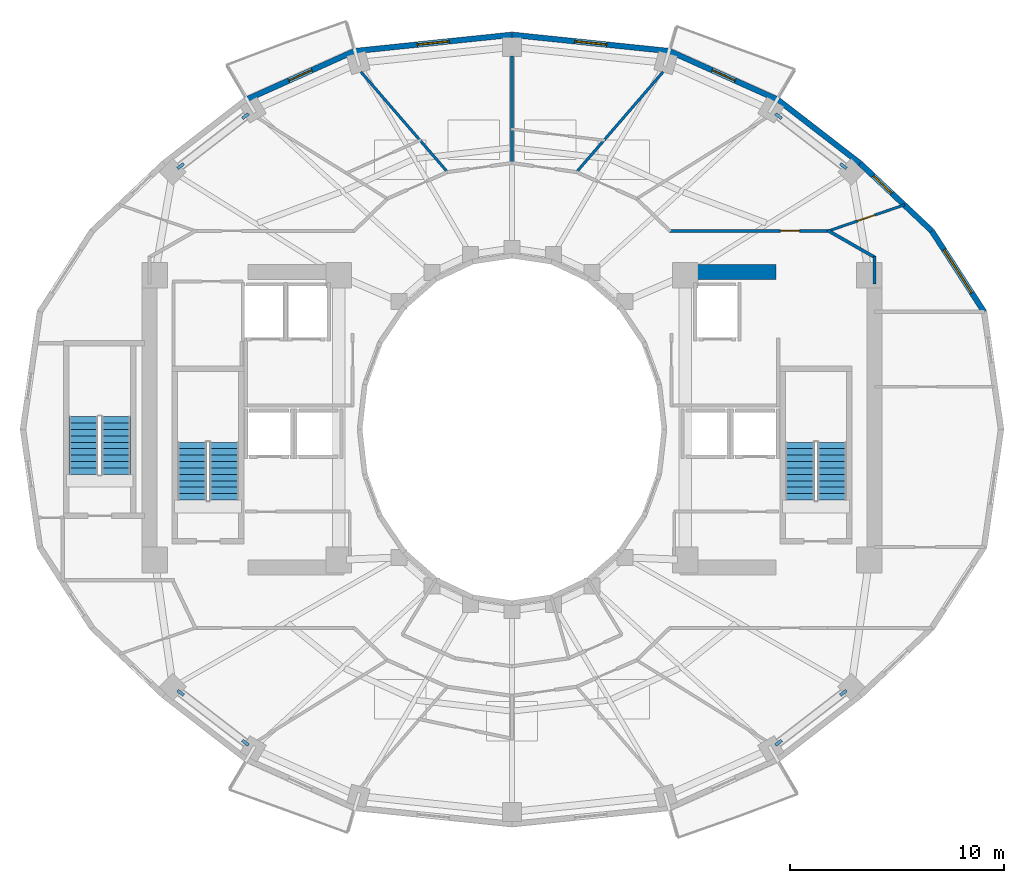
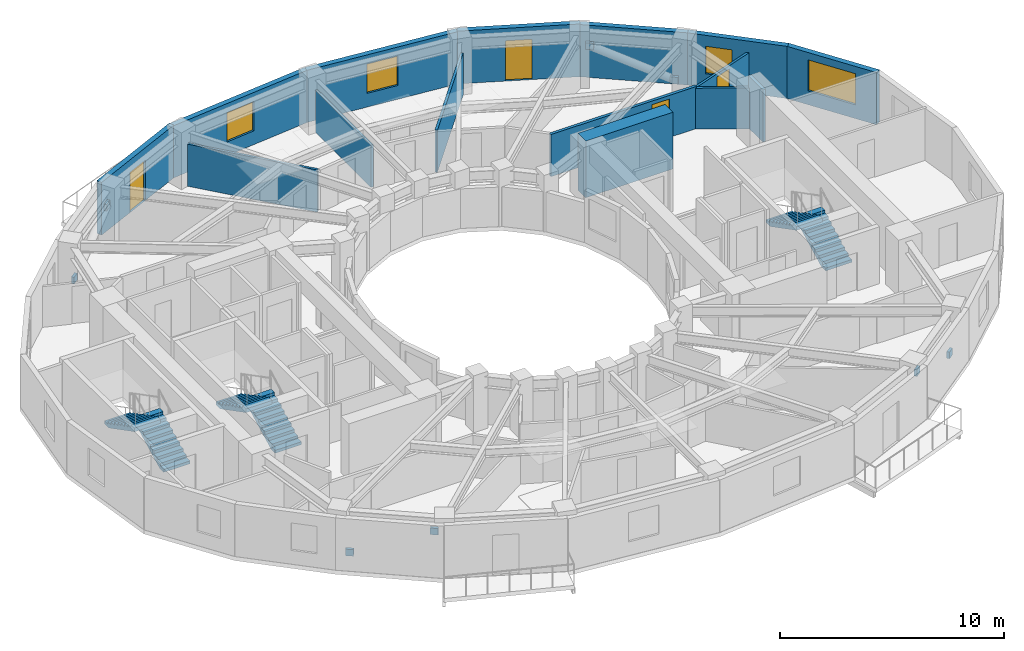
# One storey, part 7 of 10: 15 walls, 8 discrete accessories, 6 stair flights, 4 doors, 4 windows, 8 openings, 3 elements without a shape of their own.
"""IFC4 building model written with IfcOpenShell, lengths in metres."""

from ifc_helpers import new_model, si_unit, direction, frame, frame_2d, origin, origin_2d, place, context, subcontext, project, spatial, polyline, rectangle, outline, extrude, material, layer, layer_set, type_object, element, fill, aggregate, save


model = new_model("IFC4")

# Units and contexts
model_context = context("Model", 3, precision=1e-05, world=origin(), true_north=direction((0.0, 1.0)))
body_context = subcontext(model_context, "Body", "Model", "MODEL_VIEW")
ifc_project = project(units=[si_unit("LENGTHUNIT", "METRE"), si_unit("AREAUNIT", "SQUARE_METRE"), si_unit("VOLUMEUNIT", "CUBIC_METRE"), si_unit("PLANEANGLEUNIT", "RADIAN"), si_unit("MASSUNIT", "GRAM", prefix="KILO")], contexts=[model_context])

# Site, building, storey
site_placement = place(None, origin())
site = spatial("IfcSite", under=ifc_project, at=site_placement, CompositionType="ELEMENT")
building_placement = place(site_placement, origin())
building = spatial("IfcBuilding", under=site, at=building_placement, Name="Solvane Sanctuary Tower", CompositionType="ELEMENT")
storey_placement = place(building_placement, frame((0.0, 0.0, 146.699951171875)))
storey = spatial("IfcBuildingStorey", under=building, at=storey_placement, Name="L44", CompositionType="ELEMENT", Elevation=146.699951171875)

# Walls
ifc_material_1 = material(Name="Concrete C60/75", Category="concrete")
ifc_layer_1 = layer(ifc_material_1, 0.699951171875, Name="Concrete C60/75")
ifc_layer_set_1 = layer_set([ifc_layer_1], Name="Concrete C60/75")
wall_type_1 = type_object("IfcWallType", Name="Wall W-CORE-700", PredefinedType="SHEAR", material=ifc_layer_set_1)
wall_1_placement = place(storey_placement, frame((39.85009765625, 30.35009765625, 0.0), z_axis=(0.0, 0.0, 1.0), x_axis=(1.0, 0.0, 0.0)))
element("IfcWall", 1, at=wall_1_placement, inside=storey, type_object=wall_type_1, Name="L44 Core Shear Wall EC-N", PredefinedType="SHEAR", context=body_context, shape_type="SweptSolid", body=[
    extrude(rectangle(XDim=4.5, YDim=0.699951171875, at=frame_2d((2.25, 0.0))), origin(), (0.0, 0.0, 1.0), 3.10009765625),
])
ifc_material_2 = material(Name="Acoustic Gypsum Partition Board")
ifc_layer_2 = layer(ifc_material_2, 0.14990234375, Name="Acoustic Gypsum Partition Board")
ifc_layer_set_2 = layer_set([ifc_layer_2], Name="Acoustic Gypsum Partition Board")
wall_type_2 = type_object("IfcWallType", Name="Wall W-CORR-150", PredefinedType="PARTITIONING", material=ifc_layer_set_2)
wall_2_placement = place(storey_placement, frame((48.949951171875, 29.800048828125, 0.0), z_axis=(0.0, 0.0, 1.0), x_axis=(0.0, 1.0, 0.0)))
element("IfcWall", 2, at=wall_2_placement, inside=storey, type_object=wall_type_2, Name="L44 NE Corner Closer 1", PredefinedType="PARTITIONING", context=body_context, shape_type="SweptSolid", body=[
    extrude(rectangle(XDim=1.2900390625, YDim=0.14990234375, at=frame_2d((0.64501953125, 0.0))), origin(), (0.0, 0.0, 1.0), 2.85498046875),
])

# Wall, opening, door
wall_3_placement = place(storey_placement, frame((39.330078125, 32.280029296875, 0.0), z_axis=(0.0, 0.0, 1.0), x_axis=(1.0, 0.0, 0.0)))
wall_3 = element("IfcWall", 3, at=wall_3_placement, inside=storey, type_object=wall_type_2, Name="L44 NE Corner Corridor Wall", PredefinedType="PARTITIONING", context=body_context, shape_type="SweptSolid", body=[
    extrude(rectangle(XDim=7.52001953125, YDim=0.14990234375, at=frame_2d((3.760009765625, 0.0))), origin(), (0.0, 0.0, 1.0), 2.299072265625),
])
opening_1_placement = place(wall_3_placement, frame((5.219970703125, 0.0, 0.0)))
opening_1 = element("IfcOpeningElement", 4, at=opening_1_placement, cuts=wall_3, Name="Opening D-L44-16", PredefinedType="OPENING", context=body_context, shape_type="SweptSolid", body=[
    extrude(rectangle(XDim=0.89990234375, YDim=2.10009765625, at=frame_2d((0.449951171875, 1.050048828125))), frame((0.0, 0.0849609375, 0.0), z_axis=(0.0, -1.0, 0.0), x_axis=(1.0, 0.0, 0.0)), (0.0, 0.0, 1.0), 0.169921875),
])
ifc_material_3 = material(Name="Engineered Tropical Hardwood", Category="wood")
door_type_1 = type_object("IfcDoorType", Name="Door D-WET-900", OperationType="NOTDEFINED", PredefinedType="DOOR", material=ifc_material_3)
door_1_placement = place(opening_1_placement, origin())
door_1 = element("IfcDoor", 5, at=door_1_placement, inside=storey, type_object=door_type_1, Name="L44 NE Corner Salon Door", OperationType="SINGLE_SWING_LEFT", OverallHeight=2.10009765625, OverallWidth=0.89990234375, PredefinedType="DOOR", context=body_context, shape_type="SweptSolid", body=[
    extrude(rectangle(XDim=0.89990234375, YDim=2.10009765625, at=frame_2d((0.449951171875, 1.050048828125))), frame((0.0, 0.02490234375, 0.0), z_axis=(0.0, -1.0, 0.0), x_axis=(1.0, 0.0, 0.0)), (0.0, 0.0, 1.0), 0.050048828125),
])
fill(opening_1, door_1)

# Wall
wall_4_placement = place(storey_placement, frame((46.756591796875, 32.3046875, 0.0), z_axis=(0.0, 0.0, 1.0), x_axis=(0.867991349648, -0.496579315857, 0.0)))
element("IfcWall", 6, at=wall_4_placement, inside=storey, type_object=wall_type_2, Name="L44 NE Corner Wing Wall", PredefinedType="PARTITIONING", context=body_context, shape_type="SweptSolid", body=[
    extrude(rectangle(XDim=2.56689453125, YDim=0.14990234375, at=frame_2d((1.283447265625, 0.0))), origin(), (0.0, 0.0, 1.0), 2.219970703125),
])

# Wall, opening, window
ifc_material_4 = material(Name="Precast concrete C40/50", Category="concrete")
ifc_layer_3 = layer(ifc_material_4, 0.260009765625, Name="Precast concrete C40/50")
ifc_layer_set_3 = layer_set([ifc_layer_3], Name="Precast concrete C40/50")
wall_type_3 = type_object("IfcWallType", Name="Wall W-EXT-250", PredefinedType="STANDARD", material=ifc_layer_set_3)
wall_5_placement = place(storey_placement, frame((54.0703125, 28.49658203125, 0.0), z_axis=(0.0, 0.0, 1.0), x_axis=(-0.543358984534, 0.839500454989, 0.0)))
wall_5 = element("IfcWall", 7, at=wall_5_placement, inside=storey, type_object=wall_type_3, Name="L44 Ceramic-Printed Facade Wall 01", PredefinedType="STANDARD", context=body_context, shape_type="SweptSolid", body=[
    extrude(rectangle(XDim=4.51123046875, YDim=0.260009765625, at=frame_2d((2.255615234375, 0.0))), origin(), (0.0, 0.0, 1.0), 2.85009765625),
])
opening_2_placement = place(wall_5_placement, frame((1.0556640625, 0.0, 0.75)))
opening_2 = element("IfcOpeningElement", 8, at=opening_2_placement, cuts=wall_5, Name="Opening WN-RIB-2400", PredefinedType="OPENING", context=body_context, shape_type="SweptSolid", body=[
    extrude(rectangle(XDim=2.39990234375, YDim=1.699951171875, at=frame_2d((1.199951171875, 0.85009765625))), frame((0.0, 0.139892578125, 0.0), z_axis=(0.0, -1.0, 0.0), x_axis=(1.0, 0.0, 0.0)), (0.0, 0.0, 1.0), 0.280029296875),
])
ifc_material_5 = material(Name="Dark Ceramic-Fritted Low-E Glass", Category="glass")
window_type_1 = type_object("IfcWindowType", Name="Window WN-RIB-2400", PartitioningType="SINGLE_PANEL", PredefinedType="WINDOW", material=ifc_material_5)
window_1_placement = place(opening_2_placement, origin())
window_1 = element("IfcWindow", 9, at=window_1_placement, inside=storey, type_object=window_type_1, Name="L44 Operable Facade Window 01", OverallHeight=1.699951171875, OverallWidth=2.39990234375, PartitioningType="SINGLE_PANEL", PredefinedType="WINDOW", context=body_context, shape_type="SweptSolid", body=[
    extrude(rectangle(XDim=2.39990234375, YDim=1.699951171875, at=frame_2d((1.199951171875, 0.85009765625))), frame((0.0, 0.030029296875, 0.0), z_axis=(0.0, -1.0, 0.0), x_axis=(1.0, 0.0, 0.0)), (0.0, 0.0, 1.0), 0.06005859375),
])
fill(opening_2, window_1)

wall_6_placement = place(storey_placement, frame((51.619140625, 32.28369140625, 0.0), z_axis=(0.0, 0.0, 1.0), x_axis=(-0.727667301037, 0.68593024354, 0.0)))
wall_6 = element("IfcWall", 10, at=wall_6_placement, inside=storey, type_object=wall_type_3, Name="L44 Ceramic-Printed Facade Wall 02", PredefinedType="STANDARD", context=body_context, shape_type="SweptSolid", body=[
    extrude(rectangle(XDim=4.603515625, YDim=0.260009765625, at=frame_2d((2.3017578125, 0.0))), origin(), (0.0, 0.0, 1.0), 2.85009765625),
])
opening_3_placement = place(wall_6_placement, frame((2.5595703125, 0.0, 0.75)))
opening_3 = element("IfcOpeningElement", 11, at=opening_3_placement, cuts=wall_6, Name="Opening WN-OPER-1200", PredefinedType="OPENING", context=body_context, shape_type="SweptSolid", body=[
    extrude(rectangle(XDim=1.199951171875, YDim=1.5, at=frame_2d((0.60009765625, 0.75))), frame((0.0, 0.139892578125, 0.0), z_axis=(0.0, -1.0, 0.0), x_axis=(1.0, 0.0, 0.0)), (0.0, 0.0, 1.0), 0.280029296875),
])
window_type_2 = type_object("IfcWindowType", Name="Window WN-OPER-1200", PartitioningType="SINGLE_PANEL", PredefinedType="WINDOW", material=ifc_material_5)
window_2_placement = place(opening_3_placement, origin())
window_2 = element("IfcWindow", 12, at=window_2_placement, inside=storey, type_object=window_type_2, Name="L44 Operable Facade Window 02", OverallHeight=1.5, OverallWidth=1.199951171875, PartitioningType="SINGLE_PANEL", PredefinedType="WINDOW", context=body_context, shape_type="SweptSolid", body=[
    extrude(rectangle(XDim=1.199951171875, YDim=1.5, at=frame_2d((0.60009765625, 0.75))), frame((0.0, 0.030029296875, 0.0), z_axis=(0.0, -1.0, 0.0), x_axis=(1.0, 0.0, 0.0)), (0.0, 0.0, 1.0), 0.06005859375),
])
fill(opening_3, window_2)

# Wall
wall_7_placement = place(storey_placement, frame((48.269287109375, 35.44140625, 0.0), z_axis=(0.0, 0.0, 1.0), x_axis=(-0.791460185804, 0.611220724687, 0.0)))
element("IfcWall", 13, at=wall_7_placement, inside=storey, type_object=wall_type_3, Name="L44 Ceramic-Printed Facade Wall 03", PredefinedType="STANDARD", context=body_context, shape_type="SweptSolid", body=[
    extrude(rectangle(XDim=4.872314453125, YDim=0.260009765625, at=frame_2d((2.43603515625, 0.0))), origin(), (0.0, 0.0, 1.0), 2.85009765625),
])

# Wall, opening, door
wall_8_placement = place(storey_placement, frame((44.4130859375, 38.41943359375, 0.0), z_axis=(0.0, 0.0, 1.0), x_axis=(-0.912353637112, 0.409403029847, 0.0)))
wall_8 = element("IfcWall", 14, at=wall_8_placement, inside=storey, type_object=wall_type_3, Name="L44 Balcony Facade Wall N1", PredefinedType="STANDARD", context=body_context, shape_type="SweptSolid", body=[
    extrude(rectangle(XDim=5.53271484375, YDim=0.260009765625, at=frame_2d((2.766357421875, 0.0))), origin(), (0.0, 0.0, 1.0), 2.880126953125),
])
opening_4_placement = place(wall_8_placement, frame((2.16650390625, 0.0, 0.0)))
opening_4 = element("IfcOpeningElement", 15, at=opening_4_placement, cuts=wall_8, Name="Opening D-L44-01", PredefinedType="OPENING", context=body_context, shape_type="SweptSolid", body=[
    extrude(rectangle(XDim=1.199951171875, YDim=2.199951171875, at=frame_2d((0.60009765625, 1.10009765625))), frame((0.0, 0.139892578125, 0.0), z_axis=(0.0, -1.0, 0.0), x_axis=(1.0, 0.0, 0.0)), (0.0, 0.0, 1.0), 0.280029296875),
])
ifc_material_6 = material(Name="Anodised Aluminium 6063-T6", Category="aluminium")
door_type_2 = type_object("IfcDoorType", Name="Door D-BALC-1200", OperationType="NOTDEFINED", PredefinedType="DOOR", material=ifc_material_6)
door_2_placement = place(opening_4_placement, origin())
door_2 = element("IfcDoor", 16, at=door_2_placement, inside=storey, type_object=door_type_2, Name="L44 Glazed Balcony Door N1", OperationType="SINGLE_SWING_RIGHT", OverallHeight=2.199951171875, OverallWidth=1.199951171875, PredefinedType="DOOR", context=body_context, shape_type="SweptSolid", body=[
    extrude(rectangle(XDim=1.199951171875, YDim=2.199951171875, at=frame_2d((0.60009765625, 1.10009765625))), frame((0.0, 0.02490234375, 0.0), z_axis=(0.0, -1.0, 0.0), x_axis=(1.0, 0.0, 0.0)), (0.0, 0.0, 1.0), 0.050048828125),
])
fill(opening_4, door_2)

# Wall, opening, window
wall_9_placement = place(storey_placement, frame((39.365234375, 40.6845703125, 0.0), z_axis=(0.0, 0.0, 1.0), x_axis=(-0.994664178965, 0.10316574569, 0.0)))
wall_9 = element("IfcWall", 17, at=wall_9_placement, inside=storey, type_object=wall_type_3, Name="L44 Ceramic-Printed Facade Wall 05", PredefinedType="STANDARD", context=body_context, shape_type="SweptSolid", body=[
    extrude(rectangle(XDim=7.40478515625, YDim=0.260009765625, at=frame_2d((3.702392578125, 0.0))), origin(), (0.0, 0.0, 1.0), 2.85009765625),
])
opening_5_placement = place(wall_9_placement, frame((2.952392578125, 0.0, 0.75)))
opening_5 = element("IfcOpeningElement", 18, at=opening_5_placement, cuts=wall_9, Name="Opening WN-OPER-1500", PredefinedType="OPENING", context=body_context, shape_type="SweptSolid", body=[
    extrude(rectangle(XDim=1.5, YDim=1.60009765625, at=frame_2d((0.75, 0.800048828125))), frame((0.0, 0.139892578125, 0.0), z_axis=(0.0, -1.0, 0.0), x_axis=(1.0, 0.0, 0.0)), (0.0, 0.0, 1.0), 0.280029296875),
])
window_type_3 = type_object("IfcWindowType", Name="Window WN-OPER-1500", PartitioningType="SINGLE_PANEL", PredefinedType="WINDOW", material=ifc_material_5)
window_3_placement = place(opening_5_placement, origin())
window_3 = element("IfcWindow", 19, at=window_3_placement, inside=storey, type_object=window_type_3, Name="L44 Operable Facade Window 05", OverallHeight=1.60009765625, OverallWidth=1.5, PartitioningType="SINGLE_PANEL", PredefinedType="WINDOW", context=body_context, shape_type="SweptSolid", body=[
    extrude(rectangle(XDim=1.5, YDim=1.60009765625, at=frame_2d((0.75, 0.800048828125))), frame((0.0, 0.030029296875, 0.0), z_axis=(0.0, -1.0, 0.0), x_axis=(1.0, 0.0, 0.0)), (0.0, 0.0, 1.0), 0.06005859375),
])
fill(opening_5, window_3)

wall_10_placement = place(storey_placement, frame((32.0, 41.448486328125, 0.0), z_axis=(0.0, 0.0, 1.0), x_axis=(-0.994664178965, -0.10316574569, 0.0)))
wall_10 = element("IfcWall", 20, at=wall_10_placement, inside=storey, type_object=wall_type_3, Name="L44 Ceramic-Printed Facade Wall 06", PredefinedType="STANDARD", context=body_context, shape_type="SweptSolid", body=[
    extrude(rectangle(XDim=7.40478515625, YDim=0.260009765625, at=frame_2d((3.702392578125, 0.0))), origin(), (0.0, 0.0, 1.0), 2.85009765625),
])
opening_6_placement = place(wall_10_placement, frame((2.952392578125, 0.0, 0.75)))
opening_6 = element("IfcOpeningElement", 21, at=opening_6_placement, cuts=wall_10, Name="Opening WN-OPER-1500", PredefinedType="OPENING", context=body_context, shape_type="SweptSolid", body=[
    extrude(rectangle(XDim=1.5, YDim=1.60009765625, at=frame_2d((0.75, 0.800048828125))), frame((0.0, 0.139892578125, 0.0), z_axis=(0.0, -1.0, 0.0), x_axis=(1.0, 0.0, 0.0)), (0.0, 0.0, 1.0), 0.280029296875),
])
window_4_placement = place(opening_6_placement, origin())
window_4 = element("IfcWindow", 22, at=window_4_placement, inside=storey, type_object=window_type_3, Name="L44 Operable Facade Window 06", OverallHeight=1.60009765625, OverallWidth=1.5, PartitioningType="SINGLE_PANEL", PredefinedType="WINDOW", context=body_context, shape_type="SweptSolid", body=[
    extrude(rectangle(XDim=1.5, YDim=1.60009765625, at=frame_2d((0.75, 0.800048828125))), frame((0.0, 0.030029296875, 0.0), z_axis=(0.0, -1.0, 0.0), x_axis=(1.0, 0.0, 0.0)), (0.0, 0.0, 1.0), 0.06005859375),
])
fill(opening_6, window_4)

# Wall, opening, door
wall_11_placement = place(storey_placement, frame((24.634765625, 40.6845703125, 0.0), z_axis=(0.0, 0.0, 1.0), x_axis=(-0.912353637112, -0.409403029847, 0.0)))
wall_11 = element("IfcWall", 23, at=wall_11_placement, inside=storey, type_object=wall_type_3, Name="L44 Balcony Facade Wall N2", PredefinedType="STANDARD", context=body_context, shape_type="SweptSolid", body=[
    extrude(rectangle(XDim=5.53271484375, YDim=0.260009765625, at=frame_2d((2.766357421875, 0.0))), origin(), (0.0, 0.0, 1.0), 2.880126953125),
])
opening_7_placement = place(wall_11_placement, frame((2.16650390625, 0.0, 0.0)))
opening_7 = element("IfcOpeningElement", 24, at=opening_7_placement, cuts=wall_11, Name="Opening D-L44-02", PredefinedType="OPENING", context=body_context, shape_type="SweptSolid", body=[
    extrude(rectangle(XDim=1.199951171875, YDim=2.199951171875, at=frame_2d((0.60009765625, 1.10009765625))), frame((0.0, 0.139892578125, 0.0), z_axis=(0.0, -1.0, 0.0), x_axis=(1.0, 0.0, 0.0)), (0.0, 0.0, 1.0), 0.280029296875),
])
door_3_placement = place(opening_7_placement, origin())
door_3 = element("IfcDoor", 25, at=door_3_placement, inside=storey, type_object=door_type_2, Name="L44 Glazed Balcony Door N2", OperationType="SINGLE_SWING_LEFT", OverallHeight=2.199951171875, OverallWidth=1.199951171875, PredefinedType="DOOR", context=body_context, shape_type="SweptSolid", body=[
    extrude(rectangle(XDim=1.199951171875, YDim=2.199951171875, at=frame_2d((0.60009765625, 1.10009765625))), frame((0.0, 0.02490234375, 0.0), z_axis=(0.0, -1.0, 0.0), x_axis=(1.0, 0.0, 0.0)), (0.0, 0.0, 1.0), 0.050048828125),
])
fill(opening_7, door_3)

ifc_layer_4 = layer(ifc_material_2, 0.1201171875, Name="Acoustic Gypsum Partition Board")
ifc_layer_set_4 = layer_set([ifc_layer_4], Name="Acoustic Gypsum Partition Board")
wall_type_4 = type_object("IfcWallType", Name="Wall W-MOV-100", PredefinedType="MOVABLE", material=ifc_layer_set_4)
wall_12_placement = place(storey_placement, frame((46.752685546875, 32.263671875, 0.0), z_axis=(0.0, 0.0, 1.0), x_axis=(0.945683523506, 0.325088716151, 0.0)))
wall_12 = element("IfcWall", 26, at=wall_12_placement, inside=storey, type_object=wall_type_4, Name="L44 NE Corner Suite Partition", PredefinedType="MOVABLE", context=body_context, shape_type="SweptSolid", body=[
    extrude(rectangle(XDim=3.812744140625, YDim=0.1201171875, at=frame_2d((1.90625, 0.0))), origin(), (0.0, 0.0, 1.0), 2.219970703125),
])
opening_8_placement = place(wall_12_placement, frame((1.4814453125, 0.0, 0.0)))
opening_8 = element("IfcOpeningElement", 27, at=opening_8_placement, cuts=wall_12, Name="Opening D-L44-15", PredefinedType="OPENING", context=body_context, shape_type="SweptSolid", body=[
    extrude(rectangle(XDim=0.85009765625, YDim=2.050048828125, at=frame_2d((0.425048828125, 1.02490234375))), frame((0.0, 0.070068359375, 0.0), z_axis=(0.0, -1.0, 0.0), x_axis=(1.0, 0.0, 0.0)), (0.0, 0.0, 1.0), 0.14013671875),
])
ifc_material_7 = material(Name="Architectural Stainless Steel 316", Category="steel")
door_type_3 = type_object("IfcDoorType", Name="Door D-RISER", OperationType="NOTDEFINED", PredefinedType="DOOR", material=ifc_material_7)
door_4_placement = place(opening_8_placement, origin())
door_4 = element("IfcDoor", 28, at=door_4_placement, inside=storey, type_object=door_type_3, Name="L44 NE Corner Suite Door", OperationType="SINGLE_SWING_RIGHT", OverallHeight=2.050048828125, OverallWidth=0.85009765625, PredefinedType="DOOR", context=body_context, shape_type="SweptSolid", body=[
    extrude(rectangle(XDim=0.85009765625, YDim=2.050048828125, at=frame_2d((0.425048828125, 1.02490234375))), frame((0.0, 0.02490234375, 0.0), z_axis=(0.0, -1.0, 0.0), x_axis=(1.0, 0.0, 0.0)), (0.0, 0.0, 1.0), 0.050048828125),
])
fill(opening_8, door_4)

# Walls
ifc_layer_5 = layer(ifc_material_2, 0.125, Name="Acoustic Gypsum Partition Board")
ifc_layer_set_5 = layer_set([ifc_layer_5], Name="Acoustic Gypsum Partition Board")
wall_type_5 = type_object("IfcWallType", Name="Wall W-PART-125", PredefinedType="PARTITIONING", material=ifc_layer_set_5)
wall_13_placement = place(storey_placement, frame((35.052734375, 35.0732421875, 0.0), z_axis=(0.0, 0.0, 1.0), x_axis=(0.653779283332, 0.756685303601, 0.0)))
element("IfcWall", 29, at=wall_13_placement, inside=storey, type_object=wall_type_5, Name="L44 Radial Compartment Wall 075", PredefinedType="PARTITIONING", context=body_context, shape_type="SweptSolid", body=[
    extrude(rectangle(XDim=6.139892578125, YDim=0.125, at=frame_2d((3.06982421875, 0.0))), origin(), (0.0, 0.0, 1.0), 2.299072265625),
])
wall_14_placement = place(storey_placement, frame((32.0, 35.510986328125, 0.0), z_axis=(0.0, 0.0, 1.0), x_axis=(0.0, 1.0, 0.0)))
element("IfcWall", 30, at=wall_14_placement, inside=storey, type_object=wall_type_5, Name="L44 Radial Compartment Wall 090", PredefinedType="PARTITIONING", context=body_context, shape_type="SweptSolid", body=[
    extrude(rectangle(XDim=4.93896484375, YDim=0.125, at=frame_2d((2.469482421875, 0.0))), origin(), (0.0, 0.0, 1.0), 2.299072265625),
])
wall_15_placement = place(storey_placement, frame((28.947265625, 35.0732421875, 0.0), z_axis=(0.0, 0.0, 1.0), x_axis=(-0.653779283332, 0.756685303601, 0.0)))
element("IfcWall", 31, at=wall_15_placement, inside=storey, type_object=wall_type_5, Name="L44 Radial Compartment Wall 105", PredefinedType="PARTITIONING", context=body_context, shape_type="SweptSolid", body=[
    extrude(rectangle(XDim=6.139892578125, YDim=0.125, at=frame_2d((3.06982421875, 0.0))), origin(), (0.0, 0.0, 1.0), 2.299072265625),
])

# Stair, stair flights
ifc_material_8 = material(Name="Concrete C45/55", Category="concrete")
stair_type = type_object("IfcStairType", Name="Stair ST-TOW", PredefinedType="HALF_TURN_STAIR", material=ifc_material_8)
stair_1_placement = place(storey_placement, origin())
stair_1 = element("IfcStair", 32, at=stair_1_placement, inside=storey, type_object=stair_type, Name="L44 Exit Stair ST-1 West Core", PredefinedType="HALF_TURN_STAIR")
stair_flight_type = type_object("IfcStairFlightType", Name="StairFlight SF-TOW", PredefinedType="STRAIGHT", material=ifc_material_8)
stair_flight_1_placement = place(storey_placement, frame((18.544921875, 19.699951171875, 0.0), z_axis=(0.0, 0.0, 1.0), x_axis=(0.0, 1.0, 0.0)))
stair_flight_1 = element("IfcStairFlight", 33, at=stair_flight_1_placement, type_object=stair_flight_type, Name="ST-1 flight 1", NumberOfRisers=10, NumberOfTreads=9, PredefinedType="STRAIGHT", RiserHeight=0.155, TreadLength=0.3, context=body_context, shape_type="SweptSolid", body=[
    extrude(outline(polyline([(0.0, 0.0), (0.0, 0.155029296875), (0.300048828125, 0.155029296875), (0.300048828125, 0.31005859375), (0.60009765625, 0.31005859375), (0.60009765625, 0.465087890625), (0.89990234375, 0.465087890625), (0.89990234375, 0.6201171875), (1.199951171875, 0.6201171875), (1.199951171875, 0.77490234375), (1.5, 0.77490234375), (1.5, 0.929931640625), (1.800048828125, 0.929931640625), (1.800048828125, 1.0849609375), (2.10009765625, 1.0849609375), (2.10009765625, 1.239990234375), (2.39990234375, 1.239990234375), (2.39990234375, 1.39501953125), (2.699951171875, 1.39501953125), (2.699951171875, 1.550048828125), (2.699951171875, 1.1923828125), (0.39208984375, 0.0), (0.0, 0.0)])), frame((0.0, 0.675048828125, 0.0), z_axis=(0.0, -1.0, 0.0), x_axis=(1.0, 0.0, 0.0)), (0.0, 0.0, 1.0), 1.35009765625),
])
stair_flight_2_placement = place(storey_placement, frame((17.034912109375, 22.39990234375, 1.550048828125), z_axis=(0.0, 0.0, 1.0), x_axis=(0.0, -1.0, 0.0)))
stair_flight_2 = element("IfcStairFlight", 34, at=stair_flight_2_placement, type_object=stair_flight_type, Name="ST-1 flight 2", NumberOfRisers=10, NumberOfTreads=9, PredefinedType="STRAIGHT", RiserHeight=0.155, TreadLength=0.3, context=body_context, shape_type="SweptSolid", body=[
    extrude(outline(polyline([(0.0, 0.0), (0.0, 0.155029296875), (0.300048828125, 0.155029296875), (0.300048828125, 0.31005859375), (0.60009765625, 0.31005859375), (0.60009765625, 0.465087890625), (0.89990234375, 0.465087890625), (0.89990234375, 0.6201171875), (1.199951171875, 0.6201171875), (1.199951171875, 0.77490234375), (1.5, 0.77490234375), (1.5, 0.929931640625), (1.800048828125, 0.929931640625), (1.800048828125, 1.0849609375), (2.10009765625, 1.0849609375), (2.10009765625, 1.239990234375), (2.39990234375, 1.239990234375), (2.39990234375, 1.39501953125), (2.699951171875, 1.39501953125), (2.699951171875, 1.550048828125), (2.699951171875, 1.1923828125), (0.39208984375, 0.0), (0.0, 0.0)])), frame((0.0, 0.675048828125, 0.0), z_axis=(0.0, -1.0, 0.0), x_axis=(1.0, 0.0, 0.0)), (0.0, 0.0, 1.0), 1.35009765625),
])
aggregate(stair_1, [stair_flight_1, stair_flight_2])

stair_2_placement = place(storey_placement, origin())
stair_2 = element("IfcStair", 35, at=stair_2_placement, inside=storey, type_object=stair_type, Name="L44 Exit Stair ST-2 East Core", PredefinedType="HALF_TURN_STAIR")
stair_flight_3_placement = place(storey_placement, frame((46.965087890625, 19.699951171875, 0.0), z_axis=(0.0, 0.0, 1.0), x_axis=(0.0, 1.0, 0.0)))
stair_flight_3 = element("IfcStairFlight", 36, at=stair_flight_3_placement, type_object=stair_flight_type, Name="ST-2 flight 1", NumberOfRisers=10, NumberOfTreads=9, PredefinedType="STRAIGHT", RiserHeight=0.155, TreadLength=0.3, context=body_context, shape_type="SweptSolid", body=[
    extrude(outline(polyline([(0.0, 0.0), (0.0, 0.155029296875), (0.300048828125, 0.155029296875), (0.300048828125, 0.31005859375), (0.60009765625, 0.31005859375), (0.60009765625, 0.465087890625), (0.89990234375, 0.465087890625), (0.89990234375, 0.6201171875), (1.199951171875, 0.6201171875), (1.199951171875, 0.77490234375), (1.5, 0.77490234375), (1.5, 0.929931640625), (1.800048828125, 0.929931640625), (1.800048828125, 1.0849609375), (2.10009765625, 1.0849609375), (2.10009765625, 1.239990234375), (2.39990234375, 1.239990234375), (2.39990234375, 1.39501953125), (2.699951171875, 1.39501953125), (2.699951171875, 1.550048828125), (2.699951171875, 1.1923828125), (0.39208984375, 0.0), (0.0, 0.0)])), frame((0.0, 0.675048828125, 0.0), z_axis=(0.0, -1.0, 0.0), x_axis=(1.0, 0.0, 0.0)), (0.0, 0.0, 1.0), 1.35009765625),
])
stair_flight_4_placement = place(storey_placement, frame((45.455078125, 22.39990234375, 1.550048828125), z_axis=(0.0, 0.0, 1.0), x_axis=(0.0, -1.0, 0.0)))
stair_flight_4 = element("IfcStairFlight", 37, at=stair_flight_4_placement, type_object=stair_flight_type, Name="ST-2 flight 2", NumberOfRisers=10, NumberOfTreads=9, PredefinedType="STRAIGHT", RiserHeight=0.155, TreadLength=0.3, context=body_context, shape_type="SweptSolid", body=[
    extrude(outline(polyline([(0.0, 0.0), (0.0, 0.155029296875), (0.300048828125, 0.155029296875), (0.300048828125, 0.31005859375), (0.60009765625, 0.31005859375), (0.60009765625, 0.465087890625), (0.89990234375, 0.465087890625), (0.89990234375, 0.6201171875), (1.199951171875, 0.6201171875), (1.199951171875, 0.77490234375), (1.5, 0.77490234375), (1.5, 0.929931640625), (1.800048828125, 0.929931640625), (1.800048828125, 1.0849609375), (2.10009765625, 1.0849609375), (2.10009765625, 1.239990234375), (2.39990234375, 1.239990234375), (2.39990234375, 1.39501953125), (2.699951171875, 1.39501953125), (2.699951171875, 1.550048828125), (2.699951171875, 1.1923828125), (0.39208984375, 0.0), (0.0, 0.0)])), frame((0.0, 0.675048828125, 0.0), z_axis=(0.0, -1.0, 0.0), x_axis=(1.0, 0.0, 0.0)), (0.0, 0.0, 1.0), 1.35009765625),
])
aggregate(stair_2, [stair_flight_3, stair_flight_4])

stair_3_placement = place(storey_placement, origin())
stair_3 = element("IfcStair", 38, at=stair_3_placement, inside=storey, type_object=stair_type, Name="L44 Exit Stair ST-3 Pilgrim Tower Stair", PredefinedType="HALF_TURN_STAIR")
stair_flight_5_placement = place(storey_placement, frame((13.485107421875, 20.89990234375, 0.0), z_axis=(0.0, 0.0, 1.0), x_axis=(0.0, 1.0, 0.0)))
stair_flight_5 = element("IfcStairFlight", 39, at=stair_flight_5_placement, type_object=stair_flight_type, Name="ST-3 flight 1", NumberOfRisers=10, NumberOfTreads=9, PredefinedType="STRAIGHT", RiserHeight=0.155, TreadLength=0.3, context=body_context, shape_type="SweptSolid", body=[
    extrude(outline(polyline([(0.0, 0.0), (0.0, 0.155029296875), (0.300048828125, 0.155029296875), (0.300048828125, 0.31005859375), (0.60009765625, 0.31005859375), (0.60009765625, 0.465087890625), (0.89990234375, 0.465087890625), (0.89990234375, 0.6201171875), (1.199951171875, 0.6201171875), (1.199951171875, 0.77490234375), (1.5, 0.77490234375), (1.5, 0.929931640625), (1.800048828125, 0.929931640625), (1.800048828125, 1.0849609375), (2.10009765625, 1.0849609375), (2.10009765625, 1.239990234375), (2.39990234375, 1.239990234375), (2.39990234375, 1.39501953125), (2.699951171875, 1.39501953125), (2.699951171875, 1.550048828125), (2.699951171875, 1.1923828125), (0.39208984375, 0.0), (0.0, 0.0)])), frame((0.0, 0.675048828125, 0.0), z_axis=(0.0, -1.0, 0.0), x_axis=(1.0, 0.0, 0.0)), (0.0, 0.0, 1.0), 1.35009765625),
])
stair_flight_6_placement = place(storey_placement, frame((11.97509765625, 23.60009765625, 1.550048828125), z_axis=(0.0, 0.0, 1.0), x_axis=(0.0, -1.0, 0.0)))
stair_flight_6 = element("IfcStairFlight", 40, at=stair_flight_6_placement, type_object=stair_flight_type, Name="ST-3 flight 2", NumberOfRisers=10, NumberOfTreads=9, PredefinedType="STRAIGHT", RiserHeight=0.155, TreadLength=0.3, context=body_context, shape_type="SweptSolid", body=[
    extrude(outline(polyline([(0.0, 0.0), (0.0, 0.155029296875), (0.300048828125, 0.155029296875), (0.300048828125, 0.31005859375), (0.60009765625, 0.31005859375), (0.60009765625, 0.465087890625), (0.89990234375, 0.465087890625), (0.89990234375, 0.6201171875), (1.199951171875, 0.6201171875), (1.199951171875, 0.77490234375), (1.5, 0.77490234375), (1.5, 0.929931640625), (1.800048828125, 0.929931640625), (1.800048828125, 1.0849609375), (2.10009765625, 1.0849609375), (2.10009765625, 1.239990234375), (2.39990234375, 1.239990234375), (2.39990234375, 1.39501953125), (2.699951171875, 1.39501953125), (2.699951171875, 1.550048828125), (2.699951171875, 1.1923828125), (0.39208984375, 0.0), (0.0, 0.0)])), frame((0.0, 0.675048828125, 0.0), z_axis=(0.0, -1.0, 0.0), x_axis=(1.0, 0.0, 0.0)), (0.0, 0.0, 1.0), 1.35009765625),
])
aggregate(stair_3, [stair_flight_5, stair_flight_6])

# Discrete accessories
ifc_material_9 = material(Name="Steel ASTM A572 Grade 50", Category="steel")
ifc_layer_6 = layer(ifc_material_9, 0.360107421875, Name="Steel ASTM A572 Grade 50")
ifc_layer_set_6 = layer_set([ifc_layer_6], Name="Steel ASTM A572 Grade 50")
discrete_accessory_type = type_object("IfcDiscreteAccessoryType", Name="Accessory ACC-GUSSET-BRK", PredefinedType="BRACKET", material=ifc_layer_set_6)
for number, where, z_axis, x_axis, name in (
    (41, (47.493408203125, 35.31103515625, 0.380859375), (0.0, 0.0, 1.0), (-0.79207661425, 0.610421687982, 0.0), "L44 Perimeter Braced-Tube Diagonal NE End Gusset Bracket A"),
    (42, (44.46142578125, 37.64794921875, 1.88916015625), (0.0, 0.0, 1.0), (-0.79207661425, 0.610421687982, 0.0), "L44 Perimeter Braced-Tube Diagonal NE End Gusset Bracket B"),
    (43, (16.506591796875, 35.31103515625, 0.380859375), (0.0, 0.0, 1.0), (0.79207661425, 0.610421687982, 0.0), "L44 Perimeter Braced-Tube Diagonal NW End Gusset Bracket A"),
    (44, (19.53857421875, 37.64794921875, 1.88916015625), (0.0, 0.0, 1.0), (0.79207661425, 0.610421687982, 0.0), "L44 Perimeter Braced-Tube Diagonal NW End Gusset Bracket B"),
    (45, (16.506591796875, 10.68896484375, 0.380859375), (0.0, 0.0, 1.0), (0.79207661425, -0.610421687982, 0.0), "L44 Perimeter Braced-Tube Diagonal SW End Gusset Bracket A"),
    (46, (19.53857421875, 8.35205078125, 1.88916015625), (0.0, 0.0, 1.0), (0.79207661425, -0.610421687982, 0.0), "L44 Perimeter Braced-Tube Diagonal SW End Gusset Bracket B"),
    (47, (47.493408203125, 10.68896484375, 0.380859375), (0.0, 0.0, 1.0), (-0.79207661425, -0.610421687982, 0.0), "L44 Perimeter Braced-Tube Diagonal SE End Gusset Bracket A"),
    (48, (44.46142578125, 8.35205078125, 1.88916015625), (0.0, 0.0, 1.0), (-0.79207661425, -0.610421687982, 0.0), "L44 Perimeter Braced-Tube Diagonal SE End Gusset Bracket B"),
):
    element("IfcDiscreteAccessory", number, at=place(storey_placement, frame(where, z_axis=z_axis, x_axis=x_axis)), inside=storey, type_object=discrete_accessory_type, Name=name, PredefinedType="BRACKET", context=body_context, shape_type="SweptSolid", body=[
        extrude(rectangle(XDim=0.360107421875, YDim=0.139892578125, at=origin_2d()), origin(), (0.0, 0.0, 1.0), 0.360107421875),
    ])

save(model, "model.ifc")
